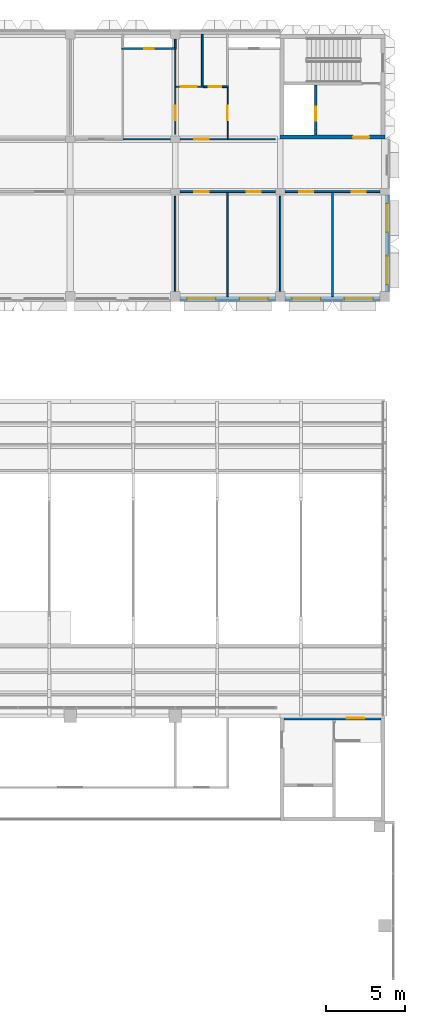
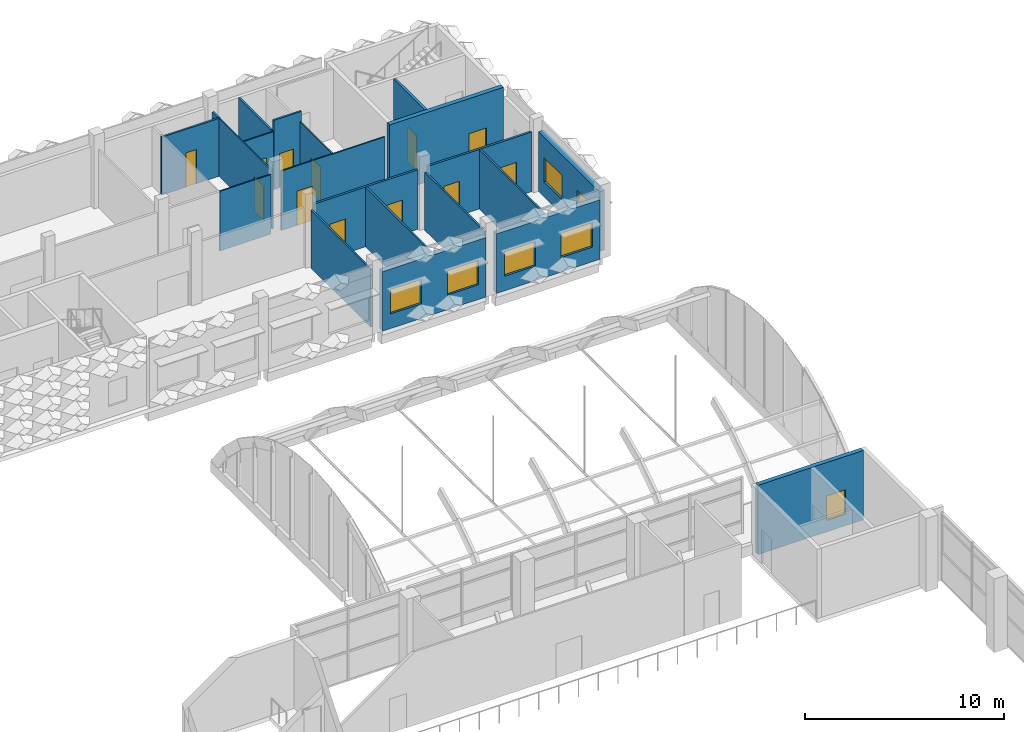
# One storey, part 53 of 102: 21 walls, 12 doors, 7 windows, 19 openings.
"""IFC4 building model written with IfcOpenShell, lengths in metres."""

from ifc_helpers import new_model, si_unit, direction, frame, frame_2d, origin, place, context, subcontext, project, spatial, rectangle, extrude, material, layer, layer_set, type_object, element, fill, save


model = new_model("IFC4")

# Units and contexts
model_context = context("Model", 3, precision=1e-05, world=origin(), true_north=direction((0.0, 1.0)))
body_context = subcontext(model_context, "Body", "Model", "MODEL_VIEW")
ifc_project = project(units=[si_unit("LENGTHUNIT", "METRE"), si_unit("AREAUNIT", "SQUARE_METRE"), si_unit("VOLUMEUNIT", "CUBIC_METRE"), si_unit("PLANEANGLEUNIT", "RADIAN"), si_unit("MASSUNIT", "GRAM", prefix="KILO")], contexts=[model_context])

# Site, building, storey
site_placement = place(None, origin())
site = spatial("IfcSite", under=ifc_project, at=site_placement, CompositionType="ELEMENT")
building_placement = place(site_placement, origin())
building = spatial("IfcBuilding", under=site, at=building_placement, Name="Lantern Court Research Institute", CompositionType="ELEMENT")
storey_placement = place(building_placement, frame((0.0, 0.0, 9.89990234375)))
storey = spatial("IfcBuildingStorey", under=building, at=storey_placement, Name="L02", CompositionType="ELEMENT", Elevation=9.89990234375)

# Wall, openings, windows
ifc_material_1 = material(Name="Concrete C30/37", Category="concrete")
ifc_layer_1 = layer(ifc_material_1, 0.300048828125)
ifc_layer_set_1 = layer_set([ifc_layer_1], Name="Concrete C30/37")
wall_type_1 = type_object("IfcWallType", Name="Insulated concrete infill wall 300", PredefinedType="STANDARD", material=ifc_layer_set_1)
wall_1_placement = place(storey_placement, frame((79.35009765625, 88.89990234375, 0.0), z_axis=(0.0, 0.0, 1.0), x_axis=(0.0, -1.0, 0.0)))
wall_1 = element("IfcWall", 1, at=wall_1_placement, inside=storey, type_object=wall_type_1, Name="Exterior wall EW144", PredefinedType="STANDARD", context=body_context, shape_type="SweptSolid", body=[
    extrude(rectangle(XDim=6.099853515625, YDim=0.300048828125, at=frame_2d((3.0498046875, 0.0))), origin(), (0.0, 0.0, 1.0), 3.650146484375),
])
opening_1_placement = place(wall_1_placement, frame((3.85009765625, 0.0, 0.89990234375)))
opening_1 = element("IfcOpeningElement", 2, at=opening_1_placement, cuts=wall_1, Name="Opening W14", PredefinedType="OPENING", context=body_context, shape_type="SweptSolid", body=[
    extrude(rectangle(XDim=1.800048828125, YDim=1.5, at=frame_2d((0.89990234375, 0.75))), frame((0.0, 0.159912109375, 0.0), z_axis=(0.0, -1.0, 0.0), x_axis=(1.0, 0.0, 0.0)), (0.0, 0.0, 1.0), 0.320068359375),
])
opening_2_placement = place(wall_1_placement, frame((0.550048828125, 0.0, 0.89990234375)))
opening_2 = element("IfcOpeningElement", 3, at=opening_2_placement, cuts=wall_1, Name="Opening W14", PredefinedType="OPENING", context=body_context, shape_type="SweptSolid", body=[
    extrude(rectangle(XDim=1.800048828125, YDim=1.5, at=frame_2d((0.89990234375, 0.75))), frame((0.0, 0.159912109375, 0.0), z_axis=(0.0, -1.0, 0.0), x_axis=(1.0, 0.0, 0.0)), (0.0, 0.0, 1.0), 0.320068359375),
])
ifc_material_2 = material(Name="Aluminium frame with laminated low-emissivity glazing", Category="aluminium")
window_type_1 = type_object("IfcWindowType", Name="Office window 1800 x 1500", PartitioningType="SINGLE_PANEL", PredefinedType="WINDOW", material=ifc_material_2)
window_1_placement = place(opening_1_placement, origin())
window_1 = element("IfcWindow", 4, at=window_1_placement, inside=storey, type_object=window_type_1, Name="Window W14 V6E L02", OverallHeight=1.5, OverallWidth=1.800048828125, PartitioningType="SINGLE_PANEL", PredefinedType="WINDOW", context=body_context, shape_type="SweptSolid", body=[
    extrude(rectangle(XDim=1.800048828125, YDim=1.5, at=frame_2d((0.89990234375, 0.75))), frame((0.0, 0.030029296875, 0.0), z_axis=(0.0, -1.0, 0.0), x_axis=(1.0, 0.0, 0.0)), (0.0, 0.0, 1.0), 0.06005859375),
])
fill(opening_1, window_1)
window_2_placement = place(opening_2_placement, origin())
window_2 = element("IfcWindow", 5, at=window_2_placement, inside=storey, type_object=window_type_1, Name="Window W14 V6E L02", OverallHeight=1.5, OverallWidth=1.800048828125, PartitioningType="SINGLE_PANEL", PredefinedType="WINDOW", context=body_context, shape_type="SweptSolid", body=[
    extrude(rectangle(XDim=1.800048828125, YDim=1.5, at=frame_2d((0.89990234375, 0.75))), frame((0.0, 0.030029296875, 0.0), z_axis=(0.0, -1.0, 0.0), x_axis=(1.0, 0.0, 0.0)), (0.0, 0.0, 1.0), 0.06005859375),
])
fill(opening_2, window_2)

wall_2_placement = place(storey_placement, frame((72.300048828125, 82.35009765625, 0.0), z_axis=(0.0, 0.0, 1.0), x_axis=(-1.0, 0.0, 0.0)))
wall_2 = element("IfcWall", 6, at=wall_2_placement, inside=storey, type_object=wall_type_1, Name="Exterior wall EW164", PredefinedType="STANDARD", context=body_context, shape_type="SweptSolid", body=[
    extrude(rectangle(XDim=6.0, YDim=0.300048828125, at=frame_2d((3.0, 0.0))), origin(), (0.0, 0.0, 1.0), 3.650146484375),
])
opening_3_placement = place(wall_2_placement, frame((3.75, 0.0, 0.89990234375)))
opening_3 = element("IfcOpeningElement", 7, at=opening_3_placement, cuts=wall_2, Name="Opening W14", PredefinedType="OPENING", context=body_context, shape_type="SweptSolid", body=[
    extrude(rectangle(XDim=1.800048828125, YDim=1.5, at=frame_2d((0.89990234375, 0.75))), frame((0.0, 0.159912109375, 0.0), z_axis=(0.0, -1.0, 0.0), x_axis=(1.0, 0.0, 0.0)), (0.0, 0.0, 1.0), 0.320068359375),
])
opening_4_placement = place(wall_2_placement, frame((0.449951171875, 0.0, 0.89990234375)))
opening_4 = element("IfcOpeningElement", 8, at=opening_4_placement, cuts=wall_2, Name="Opening W14", PredefinedType="OPENING", context=body_context, shape_type="SweptSolid", body=[
    extrude(rectangle(XDim=1.800048828125, YDim=1.5, at=frame_2d((0.89990234375, 0.75))), frame((0.0, 0.159912109375, 0.0), z_axis=(0.0, -1.0, 0.0), x_axis=(1.0, 0.0, 0.0)), (0.0, 0.0, 1.0), 0.320068359375),
])
window_3_placement = place(opening_3_placement, origin())
window_3 = element("IfcWindow", 9, at=window_3_placement, inside=storey, type_object=window_type_1, Name="Window W14 V6S L02", OverallHeight=1.5, OverallWidth=1.800048828125, PartitioningType="SINGLE_PANEL", PredefinedType="WINDOW", context=body_context, shape_type="SweptSolid", body=[
    extrude(rectangle(XDim=1.800048828125, YDim=1.5, at=frame_2d((0.89990234375, 0.75))), frame((0.0, 0.030029296875, 0.0), z_axis=(0.0, -1.0, 0.0), x_axis=(1.0, 0.0, 0.0)), (0.0, 0.0, 1.0), 0.06005859375),
])
fill(opening_3, window_3)
window_4_placement = place(opening_4_placement, origin())
window_4 = element("IfcWindow", 10, at=window_4_placement, inside=storey, type_object=window_type_1, Name="Window W14 V6S L02", OverallHeight=1.5, OverallWidth=1.800048828125, PartitioningType="SINGLE_PANEL", PredefinedType="WINDOW", context=body_context, shape_type="SweptSolid", body=[
    extrude(rectangle(XDim=1.800048828125, YDim=1.5, at=frame_2d((0.89990234375, 0.75))), frame((0.0, 0.030029296875, 0.0), z_axis=(0.0, -1.0, 0.0), x_axis=(1.0, 0.0, 0.0)), (0.0, 0.0, 1.0), 0.06005859375),
])
fill(opening_4, window_4)

wall_3_placement = place(storey_placement, frame((78.89990234375, 82.35009765625, 0.0), z_axis=(0.0, 0.0, 1.0), x_axis=(-1.0, 0.0, 0.0)))
wall_3 = element("IfcWall", 11, at=wall_3_placement, inside=storey, type_object=wall_type_1, Name="Exterior wall EW165", PredefinedType="STANDARD", context=body_context, shape_type="SweptSolid", body=[
    extrude(rectangle(XDim=6.0, YDim=0.300048828125, at=frame_2d((3.0, 0.0))), origin(), (0.0, 0.0, 1.0), 3.650146484375),
])
opening_5_placement = place(wall_3_placement, frame((3.75, 0.0, 0.89990234375)))
opening_5 = element("IfcOpeningElement", 12, at=opening_5_placement, cuts=wall_3, Name="Opening W14", PredefinedType="OPENING", context=body_context, shape_type="SweptSolid", body=[
    extrude(rectangle(XDim=1.800048828125, YDim=1.5, at=frame_2d((0.89990234375, 0.75))), frame((0.0, 0.159912109375, 0.0), z_axis=(0.0, -1.0, 0.0), x_axis=(1.0, 0.0, 0.0)), (0.0, 0.0, 1.0), 0.320068359375),
])
opening_6_placement = place(wall_3_placement, frame((0.449951171875, 0.0, 0.89990234375)))
opening_6 = element("IfcOpeningElement", 13, at=opening_6_placement, cuts=wall_3, Name="Opening W14", PredefinedType="OPENING", context=body_context, shape_type="SweptSolid", body=[
    extrude(rectangle(XDim=1.800048828125, YDim=1.5, at=frame_2d((0.89990234375, 0.75))), frame((0.0, 0.159912109375, 0.0), z_axis=(0.0, -1.0, 0.0), x_axis=(1.0, 0.0, 0.0)), (0.0, 0.0, 1.0), 0.320068359375),
])
window_5_placement = place(opening_5_placement, origin())
window_5 = element("IfcWindow", 14, at=window_5_placement, inside=storey, type_object=window_type_1, Name="Window W14 V6S L02", OverallHeight=1.5, OverallWidth=1.800048828125, PartitioningType="SINGLE_PANEL", PredefinedType="WINDOW", context=body_context, shape_type="SweptSolid", body=[
    extrude(rectangle(XDim=1.800048828125, YDim=1.5, at=frame_2d((0.89990234375, 0.75))), frame((0.0, 0.030029296875, 0.0), z_axis=(0.0, -1.0, 0.0), x_axis=(1.0, 0.0, 0.0)), (0.0, 0.0, 1.0), 0.06005859375),
])
fill(opening_5, window_5)
window_6_placement = place(opening_6_placement, origin())
window_6 = element("IfcWindow", 15, at=window_6_placement, inside=storey, type_object=window_type_1, Name="Window W14 V6S L02", OverallHeight=1.5, OverallWidth=1.800048828125, PartitioningType="SINGLE_PANEL", PredefinedType="WINDOW", context=body_context, shape_type="SweptSolid", body=[
    extrude(rectangle(XDim=1.800048828125, YDim=1.5, at=frame_2d((0.89990234375, 0.75))), frame((0.0, 0.030029296875, 0.0), z_axis=(0.0, -1.0, 0.0), x_axis=(1.0, 0.0, 0.0)), (0.0, 0.0, 1.0), 0.06005859375),
])
fill(opening_6, window_6)

# Walls
ifc_material_3 = material(Name="Gypsum board on metal studs")
ifc_layer_2 = layer(ifc_material_3, 0.10009765625)
ifc_layer_set_2 = layer_set([ifc_layer_2], Name="Gypsum board on metal studs")
wall_type_2 = type_object("IfcWallType", Name="Partition 100 mm", PredefinedType="PARTITIONING", material=ifc_layer_set_2)
wall_4_placement = place(storey_placement, frame((66.0, 82.800048828125, 0.0), z_axis=(0.0, 0.0, 1.0), x_axis=(0.0, 1.0, 0.0)))
element("IfcWall", 16, at=wall_4_placement, inside=storey, type_object=wall_type_2, Name="Wall V6-L02-056", PredefinedType="PARTITIONING", context=body_context, shape_type="SweptSolid", body=[
    extrude(rectangle(XDim=6.0, YDim=0.10009765625, at=frame_2d((3.0, 0.0))), origin(), (0.0, 0.0, 1.0), 3.550048828125),
])
wall_5_placement = place(storey_placement, frame((69.300048828125, 82.5, 0.0), z_axis=(0.0, 0.0, 1.0), x_axis=(0.0, 1.0, 0.0)))
element("IfcWall", 17, at=wall_5_placement, inside=storey, type_object=wall_type_2, Name="Wall V6-L02-060", PredefinedType="PARTITIONING", context=body_context, shape_type="SweptSolid", body=[
    extrude(rectangle(XDim=6.537109375, YDim=0.10009765625, at=frame_2d((3.2685546875, 0.0))), origin(), (0.0, 0.0, 1.0), 3.650146484375),
])
wall_6_placement = place(storey_placement, frame((72.60009765625, 82.800048828125, 0.0), z_axis=(0.0, 0.0, 1.0), x_axis=(0.0, 1.0, 0.0)))
element("IfcWall", 18, at=wall_6_placement, inside=storey, type_object=wall_type_2, Name="Wall V6-L02-063", PredefinedType="PARTITIONING", context=body_context, shape_type="SweptSolid", body=[
    extrude(rectangle(XDim=6.0, YDim=0.10009765625, at=frame_2d((3.0, 0.0))), origin(), (0.0, 0.0, 1.0), 3.550048828125),
])
wall_7_placement = place(storey_placement, frame((75.89990234375, 82.5, 0.0), z_axis=(0.0, 0.0, 1.0), x_axis=(0.0, 1.0, 0.0)))
element("IfcWall", 19, at=wall_7_placement, inside=storey, type_object=wall_type_2, Name="Wall V6-L02-064", PredefinedType="PARTITIONING", context=body_context, shape_type="SweptSolid", body=[
    extrude(rectangle(XDim=6.537109375, YDim=0.10009765625, at=frame_2d((3.2685546875, 0.0))), origin(), (0.0, 0.0, 1.0), 3.650146484375),
])

# Wall, openings, doors
ifc_material_4 = material(Name="Gypsum board on metal studs")
ifc_layer_3 = layer(ifc_material_4, 0.125)
ifc_layer_set_3 = layer_set([ifc_layer_3], Name="Gypsum board on metal studs")
wall_type_3 = type_object("IfcWallType", Name="Protected corridor partition 125 mm EI 30", PredefinedType="PARTITIONING", material=ifc_layer_set_3)
wall_8_placement = place(storey_placement, frame((72.300048828125, 89.10009765625, 0.0), z_axis=(0.0, 0.0, 1.0), x_axis=(-1.0, 0.0, 0.0)))
wall_8 = element("IfcWall", 20, at=wall_8_placement, inside=storey, type_object=wall_type_3, Name="Wall V6-L02-009", PredefinedType="PARTITIONING", context=body_context, shape_type="SweptSolid", body=[
    extrude(rectangle(XDim=6.0, YDim=0.125, at=frame_2d((3.0, 0.0))), origin(), (0.0, 0.0, 1.0), 3.650146484375),
])
opening_7_placement = place(wall_8_placement, frame((4.199951171875, 0.0, 0.0)))
opening_7 = element("IfcOpeningElement", 21, at=opening_7_placement, cuts=wall_8, Name="Opening D6210", PredefinedType="OPENING", context=body_context, shape_type="SweptSolid", body=[
    extrude(rectangle(XDim=0.89990234375, YDim=2.10009765625, at=frame_2d((0.449951171875, 1.050048828125))), frame((0.0, 0.072509765625, 0.0), z_axis=(0.0, -1.0, 0.0), x_axis=(1.0, 0.0, 0.0)), (0.0, 0.0, 1.0), 0.14501953125),
])
opening_8_placement = place(wall_8_placement, frame((0.89990234375, 0.0, 0.0)))
opening_8 = element("IfcOpeningElement", 22, at=opening_8_placement, cuts=wall_8, Name="Opening D6211", PredefinedType="OPENING", context=body_context, shape_type="SweptSolid", body=[
    extrude(rectangle(XDim=0.89990234375, YDim=2.10009765625, at=frame_2d((0.449951171875, 1.050048828125))), frame((0.0, 0.072509765625, 0.0), z_axis=(0.0, -1.0, 0.0), x_axis=(1.0, 0.0, 0.0)), (0.0, 0.0, 1.0), 0.14501953125),
])
ifc_material_5 = material(Name="Timber veneered door leaf", Category="wood")
door_type_1 = type_object("IfcDoorType", Name="Door 900 x 2100 timber FD30S", OperationType="NOTDEFINED", PredefinedType="DOOR", material=ifc_material_5)
door_1_placement = place(opening_7_placement, origin())
door_1 = element("IfcDoor", 23, at=door_1_placement, inside=storey, type_object=door_type_1, Name="Door D6210", OperationType="SINGLE_SWING_LEFT", OverallHeight=2.10009765625, OverallWidth=0.89990234375, PredefinedType="DOOR", context=body_context, shape_type="SweptSolid", body=[
    extrude(rectangle(XDim=0.89990234375, YDim=2.10009765625, at=frame_2d((0.449951171875, 1.050048828125))), frame((0.0, 0.02490234375, 0.0), z_axis=(0.0, -1.0, 0.0), x_axis=(1.0, 0.0, 0.0)), (0.0, 0.0, 1.0), 0.050048828125),
])
fill(opening_7, door_1)
door_2_placement = place(opening_8_placement, origin())
door_2 = element("IfcDoor", 24, at=door_2_placement, inside=storey, type_object=door_type_1, Name="Door D6211", OperationType="SINGLE_SWING_LEFT", OverallHeight=2.10009765625, OverallWidth=0.89990234375, PredefinedType="DOOR", context=body_context, shape_type="SweptSolid", body=[
    extrude(rectangle(XDim=0.89990234375, YDim=2.10009765625, at=frame_2d((0.449951171875, 1.050048828125))), frame((0.0, 0.02490234375, 0.0), z_axis=(0.0, -1.0, 0.0), x_axis=(1.0, 0.0, 0.0)), (0.0, 0.0, 1.0), 0.050048828125),
])
fill(opening_8, door_2)

wall_9_placement = place(storey_placement, frame((78.89990234375, 89.10009765625, 0.0), z_axis=(0.0, 0.0, 1.0), x_axis=(-1.0, 0.0, 0.0)))
wall_9 = element("IfcWall", 25, at=wall_9_placement, inside=storey, type_object=wall_type_3, Name="Wall V6-L02-010", PredefinedType="PARTITIONING", context=body_context, shape_type="SweptSolid", body=[
    extrude(rectangle(XDim=6.0, YDim=0.125, at=frame_2d((3.0, 0.0))), origin(), (0.0, 0.0, 1.0), 3.650146484375),
])
opening_9_placement = place(wall_9_placement, frame((4.199951171875, 0.0, 0.0)))
opening_9 = element("IfcOpeningElement", 26, at=opening_9_placement, cuts=wall_9, Name="Opening D6212", PredefinedType="OPENING", context=body_context, shape_type="SweptSolid", body=[
    extrude(rectangle(XDim=0.89990234375, YDim=2.10009765625, at=frame_2d((0.449951171875, 1.050048828125))), frame((0.0, 0.072509765625, 0.0), z_axis=(0.0, -1.0, 0.0), x_axis=(1.0, 0.0, 0.0)), (0.0, 0.0, 1.0), 0.14501953125),
])
opening_10_placement = place(wall_9_placement, frame((0.89990234375, 0.0, 0.0)))
opening_10 = element("IfcOpeningElement", 27, at=opening_10_placement, cuts=wall_9, Name="Opening D6213", PredefinedType="OPENING", context=body_context, shape_type="SweptSolid", body=[
    extrude(rectangle(XDim=0.89990234375, YDim=2.10009765625, at=frame_2d((0.449951171875, 1.050048828125))), frame((0.0, 0.072509765625, 0.0), z_axis=(0.0, -1.0, 0.0), x_axis=(1.0, 0.0, 0.0)), (0.0, 0.0, 1.0), 0.14501953125),
])
door_3_placement = place(opening_9_placement, origin())
door_3 = element("IfcDoor", 28, at=door_3_placement, inside=storey, type_object=door_type_1, Name="Door D6212", OperationType="SINGLE_SWING_RIGHT", OverallHeight=2.10009765625, OverallWidth=0.89990234375, PredefinedType="DOOR", context=body_context, shape_type="SweptSolid", body=[
    extrude(rectangle(XDim=0.89990234375, YDim=2.10009765625, at=frame_2d((0.449951171875, 1.050048828125))), frame((0.0, 0.02490234375, 0.0), z_axis=(0.0, -1.0, 0.0), x_axis=(1.0, 0.0, 0.0)), (0.0, 0.0, 1.0), 0.050048828125),
])
fill(opening_9, door_3)
door_4_placement = place(opening_10_placement, origin())
door_4 = element("IfcDoor", 29, at=door_4_placement, inside=storey, type_object=door_type_1, Name="Door D6213", OperationType="SINGLE_SWING_RIGHT", OverallHeight=2.10009765625, OverallWidth=0.89990234375, PredefinedType="DOOR", context=body_context, shape_type="SweptSolid", body=[
    extrude(rectangle(XDim=0.89990234375, YDim=2.10009765625, at=frame_2d((0.449951171875, 1.050048828125))), frame((0.0, 0.02490234375, 0.0), z_axis=(0.0, -1.0, 0.0), x_axis=(1.0, 0.0, 0.0)), (0.0, 0.0, 1.0), 0.050048828125),
])
fill(opening_10, door_4)

# Wall, opening, door
ifc_material_6 = material(Name="Concrete C40/50", Category="concrete")
ifc_layer_4 = layer(ifc_material_6, 0.25)
ifc_layer_set_4 = layer_set([ifc_layer_4], Name="Concrete C40/50")
wall_type_4 = type_object("IfcWallType", Name="RC core wall 250", PredefinedType="SHEAR", material=ifc_layer_set_4)
wall_10_placement = place(storey_placement, frame((72.60009765625, 92.52490234375, 0.0), z_axis=(0.0, 0.0, 1.0), x_axis=(1.0, 0.0, 0.0)))
wall_10 = element("IfcWall", 30, at=wall_10_placement, inside=storey, type_object=wall_type_4, Name="South wall of core WC-E", PredefinedType="SHEAR", context=body_context, shape_type="SweptSolid", body=[
    extrude(rectangle(XDim=6.599853515625, YDim=0.25, at=frame_2d((3.2998046875, 0.0))), origin(), (0.0, 0.0, 1.0), 4.25),
])
opening_11_placement = place(wall_10_placement, frame((4.60009765625, 0.0, 0.0)))
opening_11 = element("IfcOpeningElement", 31, at=opening_11_placement, cuts=wall_10, Name="Opening D7265", PredefinedType="OPENING", context=body_context, shape_type="SweptSolid", body=[
    extrude(rectangle(XDim=1.0, YDim=2.10009765625, at=frame_2d((0.5, 1.050048828125))), frame((0.0, 0.135009765625, 0.0), z_axis=(0.0, -1.0, 0.0), x_axis=(1.0, 0.0, 0.0)), (0.0, 0.0, 1.0), 0.27001953125),
])
ifc_material_7 = material(Name="Steel fire door leaf with smoke seals", Category="steel")
door_type_2 = type_object("IfcDoorType", Name="Door 1000 x 2100 fire rated FD60S", OperationType="NOTDEFINED", PredefinedType="DOOR", material=ifc_material_7)
door_5_placement = place(opening_11_placement, origin())
door_5 = element("IfcDoor", 32, at=door_5_placement, inside=storey, type_object=door_type_2, Name="Lobby door", OperationType="SINGLE_SWING_LEFT", OverallHeight=2.10009765625, OverallWidth=1.0, PredefinedType="DOOR", context=body_context, shape_type="SweptSolid", body=[
    extrude(rectangle(XDim=1.0, YDim=2.10009765625, at=frame_2d((0.5, 1.050048828125))), frame((0.0, 0.02490234375, 0.0), z_axis=(0.0, -1.0, 0.0), x_axis=(1.0, 0.0, 0.0)), (0.0, 0.0, 1.0), 0.050048828125),
])
fill(opening_11, door_5)

# Wall, opening, window
ifc_material_8 = material(Name="Concrete C40/50", Category="concrete")
ifc_layer_5 = layer(ifc_material_8, 0.25)
ifc_layer_set_5 = layer_set([ifc_layer_5], Name="Concrete C40/50")
wall_type_5 = type_object("IfcWallType", Name="RC core wall 250 facade", PredefinedType="SHEAR", material=ifc_layer_set_5)
wall_11_placement = place(storey_placement, frame((72.85009765625, 55.97509765625, 0.0), z_axis=(0.0, 0.0, 1.0), x_axis=(1.0, 0.0, 0.0)))
wall_11 = element("IfcWall", 33, at=wall_11_placement, inside=storey, type_object=wall_type_5, Name="North wall of core HC-B", PredefinedType="SHEAR", context=body_context, shape_type="SweptSolid", body=[
    extrude(rectangle(XDim=6.099853515625, YDim=0.25, at=frame_2d((3.0498046875, 0.0))), origin(), (0.0, 0.0, 1.0), 4.25),
])
opening_12_placement = place(wall_11_placement, frame((3.949951171875, 0.0, 0.699951171875)))
opening_12 = element("IfcOpeningElement", 34, at=opening_12_placement, cuts=wall_11, Name="Opening W5", PredefinedType="OPENING", context=body_context, shape_type="SweptSolid", body=[
    extrude(rectangle(XDim=1.10009765625, YDim=1.5, at=frame_2d((0.550048828125, 0.75))), frame((0.0, 0.135009765625, 0.0), z_axis=(0.0, -1.0, 0.0), x_axis=(1.0, 0.0, 0.0)), (0.0, 0.0, 1.0), 0.27001953125),
])
ifc_material_9 = material(Name="Aluminium alloy 6063-T6 frame with laminated glass", Category="aluminium")
window_type_2 = type_object("IfcWindowType", Name="Stair window 1100 x 1500", PartitioningType="SINGLE_PANEL", PredefinedType="WINDOW", material=ifc_material_9)
window_7_placement = place(opening_12_placement, origin())
window_7 = element("IfcWindow", 35, at=window_7_placement, inside=storey, type_object=window_type_2, Name="Stair window", OverallHeight=1.5, OverallWidth=1.10009765625, PartitioningType="SINGLE_PANEL", PredefinedType="WINDOW", context=body_context, shape_type="SweptSolid", body=[
    extrude(rectangle(XDim=1.10009765625, YDim=1.5, at=frame_2d((0.550048828125, 0.75))), frame((0.0, 0.030029296875, 0.0), z_axis=(0.0, -1.0, 0.0), x_axis=(1.0, 0.0, 0.0)), (0.0, 0.0, 1.0), 0.06005859375),
])
fill(opening_12, window_7)

# Wall, opening, door
ifc_material_10 = material(Name="Concrete C40/50", Category="concrete")
ifc_layer_6 = layer(ifc_material_10, 0.14990234375)
ifc_layer_set_6 = layer_set([ifc_layer_6], Name="Concrete C40/50")
wall_type_6 = type_object("IfcWallType", Name="RC shaft wall 150", PredefinedType="SHEAR", material=ifc_layer_set_6)
wall_12_placement = place(storey_placement, frame((74.85009765625, 92.64990234375, 0.0), z_axis=(0.0, 0.0, 1.0), x_axis=(0.0, 1.0, 0.0)))
wall_12 = element("IfcWall", 36, at=wall_12_placement, inside=storey, type_object=wall_type_6, Name="Riser wall of core WC-E", PredefinedType="SHEAR", context=body_context, shape_type="SweptSolid", body=[
    extrude(rectangle(XDim=3.150146484375, YDim=0.14990234375, at=frame_2d((1.5751953125, 0.0))), origin(), (0.0, 0.0, 1.0), 4.25),
])
opening_13_placement = place(wall_12_placement, frame((0.89990234375, 0.0, 0.0)))
opening_13 = element("IfcOpeningElement", 37, at=opening_13_placement, cuts=wall_12, Name="Opening D7264", PredefinedType="OPENING", context=body_context, shape_type="SweptSolid", body=[
    extrude(rectangle(XDim=0.89990234375, YDim=2.10009765625, at=frame_2d((0.449951171875, 1.050048828125))), frame((0.0, 0.0849609375, 0.0), z_axis=(0.0, -1.0, 0.0), x_axis=(1.0, 0.0, 0.0)), (0.0, 0.0, 1.0), 0.169921875),
])
ifc_material_11 = material(Name="Steel fire door leaf", Category="steel")
door_type_3 = type_object("IfcDoorType", Name="Door 900 x 2100 fire rated FD60", OperationType="NOTDEFINED", PredefinedType="DOOR", material=ifc_material_11)
door_6_placement = place(opening_13_placement, origin())
door_6 = element("IfcDoor", 38, at=door_6_placement, inside=storey, type_object=door_type_3, Name="Riser door", OperationType="SINGLE_SWING_LEFT", OverallHeight=2.10009765625, OverallWidth=0.89990234375, PredefinedType="DOOR", context=body_context, shape_type="SweptSolid", body=[
    extrude(rectangle(XDim=0.89990234375, YDim=2.10009765625, at=frame_2d((0.449951171875, 1.050048828125))), frame((0.0, 0.02490234375, 0.0), z_axis=(0.0, -1.0, 0.0), x_axis=(1.0, 0.0, 0.0)), (0.0, 0.0, 1.0), 0.050048828125),
])
fill(opening_13, door_6)

ifc_material_12 = material(Name="Fire-rated gypsum board on metal studs")
ifc_layer_7 = layer(ifc_material_12, 0.110107421875)
ifc_layer_set_7 = layer_set([ifc_layer_7], Name="Fire-rated gypsum board on metal studs")
wall_type_7 = type_object("IfcWallType", Name="Riser wall 110 mm EI 60", PredefinedType="PARTITIONING", material=ifc_layer_set_7)
wall_13_placement = place(storey_placement, frame((67.7548828125, 95.699951171875, 0.0), z_axis=(0.0, 0.0, 1.0), x_axis=(1.0, 0.0, 0.0)))
wall_13 = element("IfcWall", 39, at=wall_13_placement, inside=storey, type_object=wall_type_7, Name="Wall V6-L02-026", PredefinedType="PARTITIONING", context=body_context, shape_type="SweptSolid", body=[
    extrude(rectangle(XDim=1.60009765625, YDim=0.110107421875, at=frame_2d((0.800048828125, 0.0))), origin(), (0.0, 0.0, 1.0), 4.25),
])
opening_14_placement = place(wall_13_placement, frame((0.344970703125, 0.0, 0.0)))
opening_14 = element("IfcOpeningElement", 40, at=opening_14_placement, cuts=wall_13, Name="Opening D6229", PredefinedType="OPENING", context=body_context, shape_type="SweptSolid", body=[
    extrude(rectangle(XDim=0.800048828125, YDim=2.10009765625, at=frame_2d((0.39990234375, 1.050048828125))), frame((0.0, 0.06494140625, 0.0), z_axis=(0.0, -1.0, 0.0), x_axis=(1.0, 0.0, 0.0)), (0.0, 0.0, 1.0), 0.130126953125),
])
ifc_material_13 = material(Name="Coated metal door leaf")
door_type_4 = type_object("IfcDoorType", Name="Door 800 x 2100 cleaners store FD60", OperationType="NOTDEFINED", PredefinedType="DOOR", material=ifc_material_13)
door_7_placement = place(opening_14_placement, origin())
door_7 = element("IfcDoor", 41, at=door_7_placement, inside=storey, type_object=door_type_4, Name="Door D6229", OperationType="SINGLE_SWING_LEFT", OverallHeight=2.10009765625, OverallWidth=0.800048828125, PredefinedType="DOOR", context=body_context, shape_type="SweptSolid", body=[
    extrude(rectangle(XDim=0.800048828125, YDim=2.10009765625, at=frame_2d((0.39990234375, 1.050048828125))), frame((0.0, 0.02490234375, 0.0), z_axis=(0.0, -1.0, 0.0), x_axis=(1.0, 0.0, 0.0)), (0.0, 0.0, 1.0), 0.050048828125),
])
fill(opening_14, door_7)

wall_14_placement = place(storey_placement, frame((66.054931640625, 98.10009765625, 0.0), z_axis=(0.0, 0.0, 1.0), x_axis=(-1.0, 0.0, 0.0)))
wall_14 = element("IfcWall", 42, at=wall_14_placement, inside=storey, type_object=wall_type_7, Name="Wall V6-L02-029", PredefinedType="PARTITIONING", context=body_context, shape_type="SweptSolid", body=[
    extrude(rectangle(XDim=3.409912109375, YDim=0.110107421875, at=frame_2d((1.705078125, 0.0))), origin(), (0.0, 0.0, 1.0), 3.550048828125),
])
opening_15_placement = place(wall_14_placement, frame((1.405029296875, 0.0, 0.0)))
opening_15 = element("IfcOpeningElement", 43, at=opening_15_placement, cuts=wall_14, Name="Opening D6232", PredefinedType="OPENING", context=body_context, shape_type="SweptSolid", body=[
    extrude(rectangle(XDim=0.60009765625, YDim=2.10009765625, at=frame_2d((0.300048828125, 1.050048828125))), frame((0.0, 0.06494140625, 0.0), z_axis=(0.0, -1.0, 0.0), x_axis=(1.0, 0.0, 0.0)), (0.0, 0.0, 1.0), 0.130126953125),
])
ifc_material_14 = material(Name="Coated metal door leaf")
door_type_5 = type_object("IfcDoorType", Name="Door 600 x 2100 riser FD60", OperationType="NOTDEFINED", PredefinedType="DOOR", material=ifc_material_14)
door_8_placement = place(opening_15_placement, origin())
door_8 = element("IfcDoor", 44, at=door_8_placement, inside=storey, type_object=door_type_5, Name="Door D6232", OperationType="SINGLE_SWING_RIGHT", OverallHeight=2.10009765625, OverallWidth=0.60009765625, PredefinedType="DOOR", context=body_context, shape_type="SweptSolid", body=[
    extrude(rectangle(XDim=0.60009765625, YDim=2.10009765625, at=frame_2d((0.300048828125, 1.050048828125))), frame((0.0, 0.02490234375, 0.0), z_axis=(0.0, -1.0, 0.0), x_axis=(1.0, 0.0, 0.0)), (0.0, 0.0, 1.0), 0.050048828125),
])
fill(opening_15, door_8)

# Walls
wall_15_placement = place(storey_placement, frame((66.0, 98.155029296875, 0.0), z_axis=(0.0, 0.0, 1.0), x_axis=(0.0, 1.0, 0.0)))
element("IfcWall", 45, at=wall_15_placement, inside=storey, type_object=wall_type_7, Name="Wall V6-L02-058", PredefinedType="PARTITIONING", context=body_context, shape_type="SweptSolid", body=[
    extrude(rectangle(XDim=0.544921875, YDim=0.110107421875, at=frame_2d((0.2724609375, 0.0))), origin(), (0.0, 0.0, 1.0), 3.550048828125),
])
wall_16_placement = place(storey_placement, frame((67.699951171875, 95.7548828125, 0.0), z_axis=(0.0, 0.0, 1.0), x_axis=(0.0, 1.0, 0.0)))
element("IfcWall", 46, at=wall_16_placement, inside=storey, type_object=wall_type_7, Name="Wall V6-L02-059", PredefinedType="PARTITIONING", context=body_context, shape_type="SweptSolid", body=[
    extrude(rectangle(XDim=3.2451171875, YDim=0.110107421875, at=frame_2d((1.62255859375, 0.0))), origin(), (0.0, 0.0, 1.0), 3.650146484375),
])

# Wall, opening, door
ifc_material_15 = material(Name="Gypsum board on metal studs")
ifc_layer_8 = layer(ifc_material_15, 0.074951171875)
ifc_layer_set_8 = layer_set([ifc_layer_8], Name="Gypsum board on metal studs")
wall_type_8 = type_object("IfcWallType", Name="Service partition 75 mm", PredefinedType="PARTITIONING", material=ifc_layer_set_8)
wall_17_placement = place(storey_placement, frame((67.7548828125, 95.699951171875, 0.0), z_axis=(0.0, 0.0, 1.0), x_axis=(-1.0, 0.0, 0.0)))
wall_17 = element("IfcWall", 47, at=wall_17_placement, inside=storey, type_object=wall_type_8, Name="Wall V6-L02-025", PredefinedType="PARTITIONING", context=body_context, shape_type="SweptSolid", body=[
    extrude(rectangle(XDim=1.7177734375, YDim=0.074951171875, at=frame_2d((0.85888671875, 0.0))), origin(), (0.0, 0.0, 1.0), 3.550048828125),
])
opening_16_placement = place(wall_17_placement, frame((0.405029296875, 0.0, 0.0)))
opening_16 = element("IfcOpeningElement", 48, at=opening_16_placement, cuts=wall_17, Name="Opening D6228", PredefinedType="OPENING", context=body_context, shape_type="SweptSolid", body=[
    extrude(rectangle(XDim=1.0, YDim=2.10009765625, at=frame_2d((0.5, 1.050048828125))), frame((0.0, 0.04736328125, 0.0), z_axis=(0.0, -1.0, 0.0), x_axis=(1.0, 0.0, 0.0)), (0.0, 0.0, 1.0), 0.094970703125),
])
ifc_material_16 = material(Name="Timber veneered door leaf", Category="wood")
door_type_6 = type_object("IfcDoorType", Name="Door 1000 x 2100 accessible WC", OperationType="NOTDEFINED", PredefinedType="DOOR", material=ifc_material_16)
door_9_placement = place(opening_16_placement, origin())
door_9 = element("IfcDoor", 49, at=door_9_placement, inside=storey, type_object=door_type_6, Name="Door D6228", OperationType="SINGLE_SWING_RIGHT", OverallHeight=2.10009765625, OverallWidth=1.0, PredefinedType="DOOR", context=body_context, shape_type="SweptSolid", body=[
    extrude(rectangle(XDim=1.0, YDim=2.10009765625, at=frame_2d((0.5, 1.050048828125))), frame((0.0, 0.02490234375, 0.0), z_axis=(0.0, -1.0, 0.0), x_axis=(1.0, 0.0, 0.0)), (0.0, 0.0, 1.0), 0.050048828125),
])
fill(opening_16, door_9)

wall_18_placement = place(storey_placement, frame((66.0, 92.699951171875, 0.0), z_axis=(0.0, 0.0, 1.0), x_axis=(0.0, 1.0, 0.0)))
wall_18 = element("IfcWall", 50, at=wall_18_placement, inside=storey, type_object=wall_type_8, Name="Wall V6-L02-057", PredefinedType="PARTITIONING", context=body_context, shape_type="SweptSolid", body=[
    extrude(rectangle(XDim=5.344970703125, YDim=0.074951171875, at=frame_2d((2.67236328125, 0.0))), origin(), (0.0, 0.0, 1.0), 3.550048828125),
])
opening_17_placement = place(wall_18_placement, frame((0.89990234375, 0.0, 0.0)))
opening_17 = element("IfcOpeningElement", 51, at=opening_17_placement, cuts=wall_18, Name="Opening D6236", PredefinedType="OPENING", context=body_context, shape_type="SweptSolid", body=[
    extrude(rectangle(XDim=0.89990234375, YDim=2.10009765625, at=frame_2d((0.449951171875, 1.050048828125))), frame((0.0, 0.04736328125, 0.0), z_axis=(0.0, -1.0, 0.0), x_axis=(1.0, 0.0, 0.0)), (0.0, 0.0, 1.0), 0.094970703125),
])
ifc_material_17 = material(Name="Timber veneered door leaf", Category="wood")
door_type_7 = type_object("IfcDoorType", Name="Door 900 x 2100 WC", OperationType="NOTDEFINED", PredefinedType="DOOR", material=ifc_material_17)
door_10_placement = place(opening_17_placement, origin())
door_10 = element("IfcDoor", 52, at=door_10_placement, inside=storey, type_object=door_type_7, Name="Door D6236", OperationType="SINGLE_SWING_LEFT", OverallHeight=2.10009765625, OverallWidth=0.89990234375, PredefinedType="DOOR", context=body_context, shape_type="SweptSolid", body=[
    extrude(rectangle(XDim=0.89990234375, YDim=2.10009765625, at=frame_2d((0.449951171875, 1.050048828125))), frame((0.0, 0.02490234375, 0.0), z_axis=(0.0, -1.0, 0.0), x_axis=(1.0, 0.0, 0.0)), (0.0, 0.0, 1.0), 0.050048828125),
])
fill(opening_17, door_10)

wall_19_placement = place(storey_placement, frame((69.300048828125, 95.64501953125, 0.0), z_axis=(0.0, 0.0, 1.0), x_axis=(0.0, -1.0, 0.0)))
wall_19 = element("IfcWall", 53, at=wall_19_placement, inside=storey, type_object=wall_type_8, Name="Wall V6-L02-061", PredefinedType="PARTITIONING", context=body_context, shape_type="SweptSolid", body=[
    extrude(rectangle(XDim=3.20703125, YDim=0.074951171875, at=frame_2d((1.603515625, 0.0))), origin(), (0.0, 0.0, 1.0), 3.650146484375),
])
opening_18_placement = place(wall_19_placement, frame((1.14501953125, 0.0, 0.0)))
opening_18 = element("IfcOpeningElement", 54, at=opening_18_placement, cuts=wall_19, Name="Opening D6237", PredefinedType="OPENING", context=body_context, shape_type="SweptSolid", body=[
    extrude(rectangle(XDim=0.89990234375, YDim=2.10009765625, at=frame_2d((0.449951171875, 1.050048828125))), frame((0.0, 0.04736328125, 0.0), z_axis=(0.0, -1.0, 0.0), x_axis=(1.0, 0.0, 0.0)), (0.0, 0.0, 1.0), 0.094970703125),
])
door_11_placement = place(opening_18_placement, origin())
door_11 = element("IfcDoor", 55, at=door_11_placement, inside=storey, type_object=door_type_7, Name="Door D6237", OperationType="SINGLE_SWING_RIGHT", OverallHeight=2.10009765625, OverallWidth=0.89990234375, PredefinedType="DOOR", context=body_context, shape_type="SweptSolid", body=[
    extrude(rectangle(XDim=0.89990234375, YDim=2.10009765625, at=frame_2d((0.449951171875, 1.050048828125))), frame((0.0, 0.02490234375, 0.0), z_axis=(0.0, -1.0, 0.0), x_axis=(1.0, 0.0, 0.0)), (0.0, 0.0, 1.0), 0.050048828125),
])
fill(opening_18, door_11)

# Wall
ifc_material_18 = material(Name="Gypsum board on metal studs")
ifc_layer_9 = layer(ifc_material_18, 0.074951171875)
ifc_layer_set_9 = layer_set([ifc_layer_9], Name="Gypsum board on metal studs")
wall_type_9 = type_object("IfcWallType", Name="Service partition 75 mm EI 30", PredefinedType="PARTITIONING", material=ifc_layer_set_9)
wall_20_placement = place(storey_placement, frame((62.738037109375, 92.39990234375, 0.0), z_axis=(0.0, 0.0, 1.0), x_axis=(1.0, 0.0, 0.0)))
element("IfcWall", 56, at=wall_20_placement, inside=storey, type_object=wall_type_9, Name="Wall V6-L02-021", PredefinedType="PARTITIONING", context=body_context, shape_type="SweptSolid", body=[
    extrude(rectangle(XDim=2.9619140625, YDim=0.074951171875, at=frame_2d((1.48095703125, 0.0))), origin(), (0.0, 0.0, 1.0), 3.650146484375),
])

# Wall, opening, door
wall_21_placement = place(storey_placement, frame((66.300048828125, 92.39990234375, 0.0), z_axis=(0.0, 0.0, 1.0), x_axis=(1.0, 0.0, 0.0)))
wall_21 = element("IfcWall", 57, at=wall_21_placement, inside=storey, type_object=wall_type_9, Name="Wall V6-L02-022", PredefinedType="PARTITIONING", context=body_context, shape_type="SweptSolid", body=[
    extrude(rectangle(XDim=6.0, YDim=0.074951171875, at=frame_2d((3.0, 0.0))), origin(), (0.0, 0.0, 1.0), 3.650146484375),
])
opening_19_placement = place(wall_21_placement, frame((0.89990234375, 0.0, 0.0)))
opening_19 = element("IfcOpeningElement", 58, at=opening_19_placement, cuts=wall_21, Name="Opening D6225", PredefinedType="OPENING", context=body_context, shape_type="SweptSolid", body=[
    extrude(rectangle(XDim=0.89990234375, YDim=2.10009765625, at=frame_2d((0.449951171875, 1.050048828125))), frame((0.0, 0.04736328125, 0.0), z_axis=(0.0, -1.0, 0.0), x_axis=(1.0, 0.0, 0.0)), (0.0, 0.0, 1.0), 0.094970703125),
])
ifc_material_19 = material(Name="Timber veneered door leaf", Category="wood")
door_type_8 = type_object("IfcDoorType", Name="Door 900 x 2100 WC FD30S", OperationType="NOTDEFINED", PredefinedType="DOOR", material=ifc_material_19)
door_12_placement = place(opening_19_placement, origin())
door_12 = element("IfcDoor", 59, at=door_12_placement, inside=storey, type_object=door_type_8, Name="Door D6225", OperationType="SINGLE_SWING_RIGHT", OverallHeight=2.10009765625, OverallWidth=0.89990234375, PredefinedType="DOOR", context=body_context, shape_type="SweptSolid", body=[
    extrude(rectangle(XDim=0.89990234375, YDim=2.10009765625, at=frame_2d((0.449951171875, 1.050048828125))), frame((0.0, 0.02490234375, 0.0), z_axis=(0.0, -1.0, 0.0), x_axis=(1.0, 0.0, 0.0)), (0.0, 0.0, 1.0), 0.050048828125),
])
fill(opening_19, door_12)

save(model, "model.ifc")
